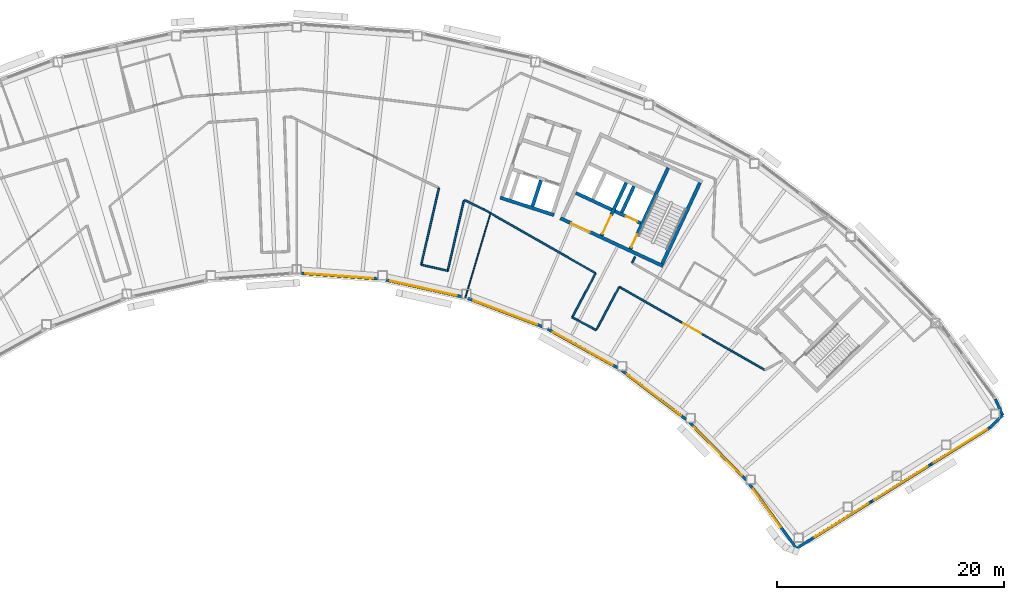
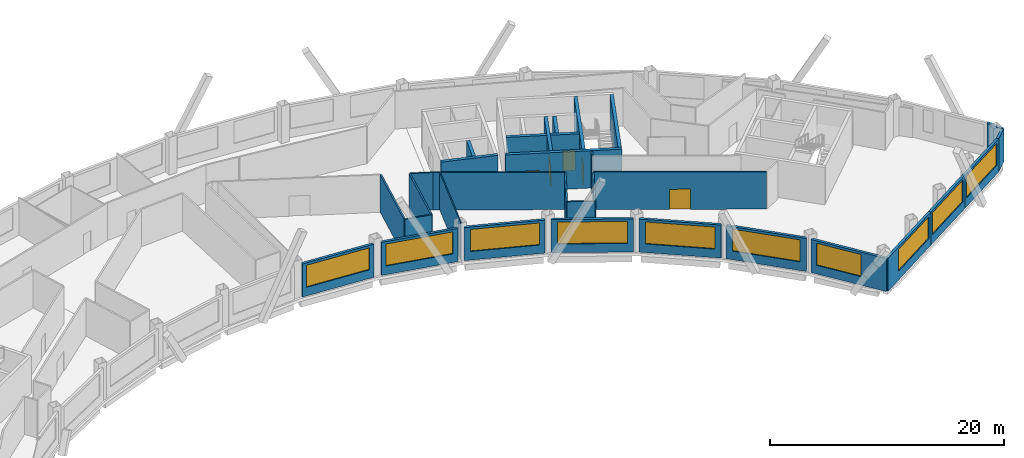
# One storey, part 7 of 12: 32 walls, 10 windows, 5 doors, 15 openings.
"""IFC4 building model written with IfcOpenShell, lengths in metres."""

from ifc_helpers import new_model, si_unit, direction, frame, frame_2d, origin, place, context, subcontext, project, spatial, rectangle, extrude, material, layer, layer_set, type_object, element, fill, save


model = new_model("IFC4")

# Units and contexts
model_context = context("Model", 3, precision=1e-05, world=origin(), true_north=direction((0.0, 1.0)))
body_context = subcontext(model_context, "Body", "Model", "MODEL_VIEW")
ifc_project = project(units=[si_unit("LENGTHUNIT", "METRE"), si_unit("AREAUNIT", "SQUARE_METRE"), si_unit("VOLUMEUNIT", "CUBIC_METRE"), si_unit("PLANEANGLEUNIT", "RADIAN"), si_unit("MASSUNIT", "GRAM", prefix="KILO")], contexts=[model_context])

# Site, building, storey
site_placement = place(None, origin())
site = spatial("IfcSite", under=ifc_project, at=site_placement, CompositionType="ELEMENT")
building_placement = place(site_placement, origin())
building = spatial("IfcBuilding", under=site, at=building_placement, Name="Tuul Gate Civic Tower", CompositionType="ELEMENT")
storey_placement = place(building_placement, frame((0.0, 0.0, 328.10009765625)))
storey = spatial("IfcBuildingStorey", under=building, at=storey_placement, Name="Level 74", CompositionType="ELEMENT", Elevation=328.10009765625)

# Wall, opening, door
ifc_material_1 = material(Name="Concrete C50/60", Category="concrete")
ifc_layer_1 = layer(ifc_material_1, 0.300048828125)
ifc_layer_set_1 = layer_set([ifc_layer_1], Name="Concrete C50/60")
wall_type_1 = type_object("IfcWallType", Name="Core wall C50/60", PredefinedType="SHEAR", material=ifc_layer_set_1)
wall_1_placement = place(storey_placement, frame((34.5283203125, -7.25, 0.0), z_axis=(0.0, 0.0, 1.0), x_axis=(-0.906310338845, 0.422612789327, 0.0)))
wall_1 = element("IfcWall", 1, at=wall_1_placement, inside=storey, type_object=wall_type_1, Name="Core wall", PredefinedType="SHEAR", context=body_context, shape_type="SweptSolid", body=[
    extrude(rectangle(XDim=9.999755859375, YDim=0.300048828125, at=frame_2d((5.0, 0.0))), origin(), (0.0, 0.0, 1.0), 3.89990234375),
])
opening_1_placement = place(wall_1_placement, frame((7.125, 0.0, 0.0)))
opening_1 = element("IfcOpeningElement", 2, at=opening_1_placement, cuts=wall_1, Name="Opening LB-E3-LOBBY-1", PredefinedType="OPENING", context=body_context, shape_type="SweptSolid", body=[
    extrude(rectangle(XDim=1.800048828125, YDim=2.10009765625, at=frame_2d((0.89990234375, 1.050048828125))), frame((0.0, 0.16015625, 0.0), z_axis=(0.0, -1.0, 0.0), x_axis=(1.0, 0.0, 0.0)), (0.0, 0.0, 1.0), 0.320068359375),
])
ifc_material_2 = material(Name="Steel", Category="steel")
door_type_1 = type_object("IfcDoorType", Name="Lobby door", OperationType="DOUBLE_DOOR_SINGLE_SWING", PredefinedType="DOOR", material=ifc_material_2)
door_1_placement = place(opening_1_placement, frame((1.800048828125, 0.0, 0.0), z_axis=(0.0, 0.0, 1.0), x_axis=(-1.0, 0.0, 0.0)))
door_1 = element("IfcDoor", 3, at=door_1_placement, inside=storey, type_object=door_type_1, Name="Lobby door E3-LOBBY", OperationType="DOUBLE_DOOR_SINGLE_SWING", OverallHeight=2.10009765625, OverallWidth=1.800048828125, PredefinedType="DOOR", context=body_context, shape_type="SweptSolid", body=[
    extrude(rectangle(XDim=1.800048828125, YDim=2.10009765625, at=frame_2d((0.900146484375, 1.050048828125))), frame((0.0, 0.02490234375, 0.0), z_axis=(0.0, -1.0, 0.0), x_axis=(1.0, 0.0, 0.0)), (0.0, 0.0, 1.0), 0.050048828125),
])
fill(opening_1, door_1)

wall_2_placement = place(storey_placement, frame((32.545654296875, -3.456787109375, 0.0), z_axis=(0.0, 0.0, 1.0), x_axis=(-0.906300357825, 0.42263419337, 0.0)))
wall_2 = element("IfcWall", 4, at=wall_2_placement, inside=storey, type_object=wall_type_1, Name="Core wall", PredefinedType="SHEAR", context=body_context, shape_type="SweptSolid", body=[
    extrude(rectangle(XDim=2.500244140625, YDim=0.300048828125, at=frame_2d((1.25, 0.0))), origin(), (0.0, 0.0, 1.0), 3.89990234375),
])
opening_2_placement = place(wall_2_placement, frame((0.324951171875, 0.0, 0.0)))
opening_2 = element("IfcOpeningElement", 5, at=opening_2_placement, cuts=wall_2, Name="Opening LD-FF-2", PredefinedType="OPENING", context=body_context, shape_type="SweptSolid", body=[
    extrude(rectangle(XDim=1.10009765625, YDim=2.10009765625, at=frame_2d((0.550048828125, 1.050048828125))), frame((0.0, 0.16015625, 0.0), z_axis=(0.0, -1.0, 0.0), x_axis=(1.0, 0.0, 0.0)), (0.0, 0.0, 1.0), 0.320068359375),
])
ifc_material_3 = material(Name="Stainless steel", Category="steel")
door_type_2 = type_object("IfcDoorType", Name="Landing door", OperationType="DOUBLE_DOOR_SLIDING", PredefinedType="DOOR", material=ifc_material_3)
door_2_placement = place(opening_2_placement, origin())
door_2 = element("IfcDoor", 6, at=door_2_placement, inside=storey, type_object=door_type_2, Name="Fire-fighting lift FF-2 landing door", OperationType="DOUBLE_DOOR_SLIDING", OverallHeight=2.10009765625, OverallWidth=1.10009765625, PredefinedType="DOOR", context=body_context, shape_type="SweptSolid", body=[
    extrude(rectangle(XDim=1.10009765625, YDim=2.10009765625, at=frame_2d((0.550048828125, 1.050048828125))), frame((0.0, 0.02490234375, 0.0), z_axis=(0.0, -1.0, 0.0), x_axis=(1.0, 0.0, 0.0)), (0.0, 0.0, 1.0), 0.050048828125),
])
fill(opening_2, door_2)

# Walls
wall_3_placement = place(storey_placement, frame((30.0078125, -2.2734375, 0.0), z_axis=(0.0, 0.0, 1.0), x_axis=(-0.90630071767, 0.422633421716, 0.0)))
element("IfcWall", 7, at=wall_3_placement, inside=storey, type_object=wall_type_1, Name="Core wall", PredefinedType="SHEAR", context=body_context, shape_type="SweptSolid", body=[
    extrude(rectangle(XDim=3.5, YDim=0.300048828125, at=frame_2d((1.75, 0.0))), origin(), (0.0, 0.0, 1.0), 3.89990234375),
])
wall_4_placement = place(storey_placement, frame((34.455810546875, -7.05078125, 0.0), z_axis=(0.0, 0.0, 1.0), x_axis=(0.422570768258, 0.906329932096, 0.0)))
element("IfcWall", 8, at=wall_4_placement, inside=storey, type_object=wall_type_1, Name="Core wall", PredefinedType="SHEAR", context=body_context, shape_type="SweptSolid", body=[
    extrude(rectangle(XDim=7.900146484375, YDim=0.300048828125, at=frame_2d((3.9501953125, 0.0))), origin(), (0.0, 0.0, 1.0), 3.89990234375),
])

# Wall, opening, door
wall_5_placement = place(storey_placement, frame((31.646240234375, -5.740478515625, 0.0), z_axis=(0.0, 0.0, 1.0), x_axis=(0.422582604137, 0.906324413596, 0.0)))
wall_5 = element("IfcWall", 9, at=wall_5_placement, inside=storey, type_object=wall_type_1, Name="Core wall", PredefinedType="SHEAR", context=body_context, shape_type="SweptSolid", body=[
    extrude(rectangle(XDim=7.89990234375, YDim=0.300048828125, at=frame_2d((3.949951171875, 0.0))), origin(), (0.0, 0.0, 1.0), 3.89990234375),
])
opening_3_placement = place(wall_5_placement, frame((0.199951171875, 0.0, 0.0)))
opening_3 = element("IfcOpeningElement", 10, at=opening_3_placement, cuts=wall_5, Name="Opening SD-ST-4", PredefinedType="OPENING", context=body_context, shape_type="SweptSolid", body=[
    extrude(rectangle(XDim=1.199951171875, YDim=2.10009765625, at=frame_2d((0.60009765625, 1.050048828125))), frame((0.0, 0.16015625, 0.0), z_axis=(0.0, -1.0, 0.0), x_axis=(1.0, 0.0, 0.0)), (0.0, 0.0, 1.0), 0.320068359375),
])
ifc_material_4 = material(Name="Steel", Category="steel")
door_type_3 = type_object("IfcDoorType", Name="Stair door", OperationType="NOTDEFINED", PredefinedType="DOOR", material=ifc_material_4)
door_3_placement = place(opening_3_placement, origin())
door_3 = element("IfcDoor", 11, at=door_3_placement, inside=storey, type_object=door_type_3, Name="Stair door ST-4", OperationType="SINGLE_SWING_LEFT", OverallHeight=2.10009765625, OverallWidth=1.199951171875, PredefinedType="DOOR", context=body_context, shape_type="SweptSolid", body=[
    extrude(rectangle(XDim=1.199951171875, YDim=2.10009765625, at=frame_2d((0.60009765625, 1.050048828125))), frame((0.0, 0.02490234375, 0.0), z_axis=(0.0, -1.0, 0.0), x_axis=(1.0, 0.0, 0.0)), (0.0, 0.0, 1.0), 0.050048828125),
])
fill(opening_3, door_3)

# Wall
wall_6_placement = place(storey_placement, frame((30.886962890625, -2.517822265625, 0.0), z_axis=(0.0, 0.0, 1.0), x_axis=(0.422612891016, 0.906310291427, 0.0)))
element("IfcWall", 12, at=wall_6_placement, inside=storey, type_object=wall_type_1, Name="Core wall", PredefinedType="SHEAR", context=body_context, shape_type="SweptSolid", body=[
    extrude(rectangle(XDim=2.550048828125, YDim=0.300048828125, at=frame_2d((1.27490234375, 0.0))), origin(), (0.0, 0.0, 1.0), 3.89990234375),
])

# Wall, opening, door
wall_7_placement = place(storey_placement, frame((29.108642578125, -4.557373046875, 0.0), z_axis=(0.0, 0.0, 1.0), x_axis=(0.422566235356, 0.90633204552, 0.0)))
wall_7 = element("IfcWall", 13, at=wall_7_placement, inside=storey, type_object=wall_type_1, Name="Core wall", PredefinedType="SHEAR", context=body_context, shape_type="SweptSolid", body=[
    extrude(rectangle(XDim=5.150146484375, YDim=0.300048828125, at=frame_2d((2.5751953125, 0.0))), origin(), (0.0, 0.0, 1.0), 3.89990234375),
])
opening_4_placement = place(wall_7_placement, frame((0.175048828125, 0.0, 0.0)))
opening_4 = element("IfcOpeningElement", 14, at=opening_4_placement, cuts=wall_7, Name="Opening LB-E3-FLOBBY-1", PredefinedType="OPENING", context=body_context, shape_type="SweptSolid", body=[
    extrude(rectangle(XDim=1.800048828125, YDim=2.10009765625, at=frame_2d((0.89990234375, 1.050048828125))), frame((0.0, 0.16015625, 0.0), z_axis=(0.0, -1.0, 0.0), x_axis=(1.0, 0.0, 0.0)), (0.0, 0.0, 1.0), 0.320068359375),
])
door_4_placement = place(opening_4_placement, frame((1.800048828125, 0.0, 0.0), z_axis=(0.0, 0.0, 1.0), x_axis=(-1.0, 0.0, 0.0)))
door_4 = element("IfcDoor", 15, at=door_4_placement, inside=storey, type_object=door_type_1, Name="Lobby door E3-FLOBBY", OperationType="DOUBLE_DOOR_SINGLE_SWING", OverallHeight=2.10009765625, OverallWidth=1.800048828125, PredefinedType="DOOR", context=body_context, shape_type="SweptSolid", body=[
    extrude(rectangle(XDim=1.800048828125, YDim=2.10009765625, at=frame_2d((0.900146484375, 1.050048828125))), frame((0.0, 0.02490234375, 0.0), z_axis=(0.0, -1.0, 0.0), x_axis=(1.0, 0.0, 0.0)), (0.0, 0.0, 1.0), 0.050048828125),
])
fill(opening_4, door_4)

# Wall
ifc_material_5 = material(Name="Gypsum board partition")
ifc_layer_2 = layer(ifc_material_5, 0.14990234375)
ifc_layer_set_2 = layer_set([ifc_layer_2], Name="Gypsum board partition")
wall_type_2 = type_object("IfcWallType", Name="Corridor wall P150", PredefinedType="PARTITIONING", material=ifc_layer_set_2)
wall_8_placement = place(storey_placement, frame((18.767333984375, -2.275146484375, 0.0), z_axis=(0.0, 0.0, 1.0), x_axis=(0.868271101011, -0.496090007104, 0.0)))
element("IfcWall", 16, at=wall_8_placement, inside=storey, type_object=wall_type_2, Name="p036", PredefinedType="PARTITIONING", context=body_context, shape_type="SweptSolid", body=[
    extrude(rectangle(XDim=11.283935546875, YDim=0.14990234375, at=frame_2d((5.64208984375, 0.0))), origin(), (0.0, 0.0, 1.0), 3.89990234375),
])

# Wall, opening, door
wall_9_placement = place(storey_placement, frame((30.680908203125, -9.082275390625, 0.0), z_axis=(0.0, 0.0, 1.0), x_axis=(0.86827465365, -0.496083789121, 0.0)))
wall_9 = element("IfcWall", 17, at=wall_9_placement, inside=storey, type_object=wall_type_2, Name="p037", PredefinedType="PARTITIONING", context=body_context, shape_type="SweptSolid", body=[
    extrude(rectangle(XDim=14.779296875, YDim=0.14990234375, at=frame_2d((7.3896484375, 0.0))), origin(), (0.0, 0.0, 1.0), 3.89990234375),
])
opening_5_placement = place(wall_9_placement, frame((6.489501953125, 0.0, 0.0)))
opening_5 = element("IfcOpeningElement", 18, at=opening_5_placement, cuts=wall_9, Name="Opening AB-D06", PredefinedType="OPENING", context=body_context, shape_type="SweptSolid", body=[
    extrude(rectangle(XDim=1.800048828125, YDim=2.10009765625, at=frame_2d((0.89990234375, 1.050048828125))), frame((0.0, 0.0849609375, 0.0), z_axis=(0.0, -1.0, 0.0), x_axis=(1.0, 0.0, 0.0)), (0.0, 0.0, 1.0), 0.169921875),
])
ifc_material_6 = material(Name="Timber door leaf, double", Category="wood")
door_type_4 = type_object("IfcDoorType", Name="Door D18", OperationType="DOUBLE_DOOR_SINGLE_SWING", PredefinedType="DOOR", material=ifc_material_6)
door_5_placement = place(opening_5_placement, frame((1.800048828125, 0.0, 0.0), z_axis=(0.0, 0.0, 1.0), x_axis=(-1.0, 0.0, 0.0)))
door_5 = element("IfcDoor", 19, at=door_5_placement, inside=storey, type_object=door_type_4, Name="Door AB-D06", OperationType="DOUBLE_DOOR_SINGLE_SWING", OverallHeight=2.10009765625, OverallWidth=1.800048828125, PredefinedType="DOOR", context=body_context, shape_type="SweptSolid", body=[
    extrude(rectangle(XDim=1.800048828125, YDim=2.10009765625, at=frame_2d((0.900146484375, 1.050048828125))), frame((0.0, 0.02490234375, 0.0), z_axis=(0.0, -1.0, 0.0), x_axis=(1.0, 0.0, 0.0)), (0.0, 0.0, 1.0), 0.050048828125),
])
fill(opening_5, door_5)

# Walls
wall_10_placement = place(storey_placement, frame((26.513916015625, -11.77197265625, 0.0), z_axis=(0.0, 0.0, 1.0), x_axis=(0.469431997452, 0.882968628983, 0.0)))
element("IfcWall", 20, at=wall_10_placement, inside=storey, type_object=wall_type_2, Name="p038", PredefinedType="PARTITIONING", context=body_context, shape_type="SweptSolid", body=[
    extrude(rectangle(XDim=4.38525390625, YDim=0.14990234375, at=frame_2d((2.192626953125, 0.0))), origin(), (0.0, 0.0, 1.0), 3.89990234375),
])
wall_11_placement = place(storey_placement, frame((26.513916015625, -11.77197265625, 0.0), z_axis=(0.0, 0.0, 1.0), x_axis=(0.882935201215, -0.469494867336, 0.0)))
element("IfcWall", 21, at=wall_11_placement, inside=storey, type_object=wall_type_2, Name="p039", PredefinedType="PARTITIONING", context=body_context, shape_type="SweptSolid", body=[
    extrude(rectangle(XDim=2.39990234375, YDim=0.14990234375, at=frame_2d((1.199951171875, 0.0))), origin(), (0.0, 0.0, 1.0), 3.89990234375),
])
wall_12_placement = place(storey_placement, frame((28.6328125, -12.898681640625, 0.0), z_axis=(0.0, 0.0, 1.0), x_axis=(0.469497456334, 0.882933824528, 0.0)))
element("IfcWall", 22, at=wall_12_placement, inside=storey, type_object=wall_type_2, Name="p040", PredefinedType="PARTITIONING", context=body_context, shape_type="SweptSolid", body=[
    extrude(rectangle(XDim=4.311279296875, YDim=0.14990234375, at=frame_2d((2.15576171875, 0.0))), origin(), (0.0, 0.0, 1.0), 3.89990234375),
])
wall_13_placement = place(storey_placement, frame((31.793701171875, -6.953857421875, 0.0), z_axis=(0.0, 0.0, 1.0), x_axis=(0.469661180167, 0.882846745389, 0.0)))
element("IfcWall", 23, at=wall_13_placement, inside=storey, type_object=wall_type_2, Name="p041", PredefinedType="PARTITIONING", context=body_context, shape_type="SweptSolid", body=[
    extrude(rectangle(XDim=0.587890625, YDim=0.14990234375, at=frame_2d((0.2939453125, 0.0))), origin(), (0.0, 0.0, 1.0), 3.89990234375),
])
wall_14_placement = place(storey_placement, frame((16.989013671875, -1.42041015625, 0.0), z_axis=(0.0, 0.0, 1.0), x_axis=(0.901277528971, -0.433242213747, 0.0)))
element("IfcWall", 24, at=wall_14_placement, inside=storey, type_object=wall_type_2, Name="p045", PredefinedType="PARTITIONING", context=body_context, shape_type="SweptSolid", body=[
    extrude(rectangle(XDim=1.9716796875, YDim=0.14990234375, at=frame_2d((0.98583984375, 0.0))), origin(), (0.0, 0.0, 1.0), 3.89990234375),
])
wall_15_placement = place(storey_placement, frame((13.183349609375, -7.127685546875, 0.0), z_axis=(0.0, 0.0, 1.0), x_axis=(0.224946783253, 0.974371050834, 0.0)))
element("IfcWall", 25, at=wall_15_placement, inside=storey, type_object=wall_type_2, Name="p046", PredefinedType="PARTITIONING", context=body_context, shape_type="SweptSolid", body=[
    extrude(rectangle(XDim=6.946044921875, YDim=0.14990234375, at=frame_2d((3.47314453125, 0.0))), origin(), (0.0, 0.0, 1.0), 3.89990234375),
])
wall_16_placement = place(storey_placement, frame((13.18359375, -7.12841796875, 0.0), z_axis=(0.0, 0.0, 1.0), x_axis=(0.974382619436, -0.224896667254, 0.0)))
element("IfcWall", 26, at=wall_16_placement, inside=storey, type_object=wall_type_2, Name="p047", PredefinedType="PARTITIONING", context=body_context, shape_type="SweptSolid", body=[
    extrude(rectangle(XDim=2.399169921875, YDim=0.14990234375, at=frame_2d((1.19970703125, 0.0))), origin(), (0.0, 0.0, 1.0), 3.89990234375),
])
wall_17_placement = place(storey_placement, frame((15.521728515625, -7.66748046875, 0.0), z_axis=(0.0, 0.0, 1.0), x_axis=(0.224968204235, 0.974366105262, 0.0)))
element("IfcWall", 27, at=wall_17_placement, inside=storey, type_object=wall_type_2, Name="p048", PredefinedType="PARTITIONING", context=body_context, shape_type="SweptSolid", body=[
    extrude(rectangle(XDim=6.3974609375, YDim=0.14990234375, at=frame_2d((3.19873046875, 0.0))), origin(), (0.0, 0.0, 1.0), 3.89990234375),
])
ifc_material_7 = material(Name="Precast concrete C40/50", Category="concrete")
ifc_layer_3 = layer(ifc_material_7, 0.25)
ifc_layer_set_3 = layer_set([ifc_layer_3], Name="Precast concrete C40/50")
wall_type_3 = type_object("IfcWallType", Name="External wall", PredefinedType="STANDARD", material=ifc_layer_set_3)
wall_18_placement = place(storey_placement, frame((63.382568359375, -21.513671875, 0.0), z_axis=(0.0, 0.0, 1.0), x_axis=(0.722162740816, 0.691723193031, 0.0)))
element("IfcWall", 28, at=wall_18_placement, inside=storey, type_object=wall_type_3, Name="External wall", PredefinedType="STANDARD", context=body_context, shape_type="SweptSolid", body=[
    extrude(rectangle(XDim=1.572021484375, YDim=0.25, at=frame_2d((0.7861328125, 0.0))), origin(), (0.0, 0.0, 1.0), 3.449951171875),
])
wall_19_placement = place(storey_placement, frame((64.517822265625, -20.42626953125, 0.0), z_axis=(0.0, 0.0, 1.0), x_axis=(-0.413463423134, 0.910520728886, 0.0)))
element("IfcWall", 29, at=wall_19_placement, inside=storey, type_object=wall_type_3, Name="External wall", PredefinedType="STANDARD", context=body_context, shape_type="SweptSolid", body=[
    extrude(rectangle(XDim=1.5712890625, YDim=0.25, at=frame_2d((0.78564453125, 0.0))), origin(), (0.0, 0.0, 1.0), 3.449951171875),
])

# Wall, opening, window
wall_20_placement = place(storey_placement, frame((2.592041015625, -7.882568359375, 0.0), z_axis=(0.0, 0.0, 1.0), x_axis=(0.997384795983, -0.072274260578, 0.0)))
wall_20 = element("IfcWall", 30, at=wall_20_placement, inside=storey, type_object=wall_type_3, Name="External wall", PredefinedType="STANDARD", context=body_context, shape_type="SweptSolid", body=[
    extrude(rectangle(XDim=6.789794921875, YDim=0.25, at=frame_2d((3.39501953125, 0.0))), origin(), (0.0, 0.0, 1.0), 3.449951171875),
])
opening_6_placement = place(wall_20_placement, frame((0.371337890625, 0.0, 0.89990234375)))
opening_6 = element("IfcOpeningElement", 31, at=opening_6_placement, cuts=wall_20, Name="Opening W26", PredefinedType="OPENING", context=body_context, shape_type="SweptSolid", body=[
    extrude(rectangle(XDim=6.0, YDim=2.300048828125, at=frame_2d((3.0, 1.14990234375))), frame((0.0, 0.135009765625, 0.0), z_axis=(0.0, -1.0, 0.0), x_axis=(1.0, 0.0, 0.0)), (0.0, 0.0, 1.0), 0.27001953125),
])
ifc_material_8 = material(Name="Glass", Category="glass")
window_type_1 = type_object("IfcWindowType", Name="Window W26 6000 x 2300", PartitioningType="SINGLE_PANEL", PredefinedType="WINDOW", material=ifc_material_8)
window_1_placement = place(opening_6_placement, origin())
window_1 = element("IfcWindow", 32, at=window_1_placement, inside=storey, type_object=window_type_1, Name="Window", OverallHeight=2.300048828125, OverallWidth=6.0, PartitioningType="SINGLE_PANEL", PredefinedType="WINDOW", context=body_context, shape_type="SweptSolid", body=[
    extrude(rectangle(XDim=6.0, YDim=2.300048828125, at=frame_2d((3.0, 1.14990234375))), frame((0.0, 0.030029296875, 0.0), z_axis=(0.0, -1.0, 0.0), x_axis=(1.0, 0.0, 0.0)), (0.0, 0.0, 1.0), 0.06005859375),
])
fill(opening_6, window_1)

wall_21_placement = place(storey_placement, frame((10.071044921875, -8.47705078125, 0.0), z_axis=(0.0, 0.0, 1.0), x_axis=(0.976561146318, -0.215240162382, 0.0)))
wall_21 = element("IfcWall", 33, at=wall_21_placement, inside=storey, type_object=wall_type_3, Name="External wall", PredefinedType="STANDARD", context=body_context, shape_type="SweptSolid", body=[
    extrude(rectangle(XDim=6.867919921875, YDim=0.25, at=frame_2d((3.43408203125, 0.0))), origin(), (0.0, 0.0, 1.0), 3.449951171875),
])
opening_7_placement = place(wall_21_placement, frame((0.409912109375, 0.0, 0.89990234375)))
opening_7 = element("IfcOpeningElement", 34, at=opening_7_placement, cuts=wall_21, Name="Opening W26", PredefinedType="OPENING", context=body_context, shape_type="SweptSolid", body=[
    extrude(rectangle(XDim=6.0, YDim=2.300048828125, at=frame_2d((3.0, 1.14990234375))), frame((0.0, 0.135009765625, 0.0), z_axis=(0.0, -1.0, 0.0), x_axis=(1.0, 0.0, 0.0)), (0.0, 0.0, 1.0), 0.27001953125),
])
window_2_placement = place(opening_7_placement, origin())
window_2 = element("IfcWindow", 35, at=window_2_placement, inside=storey, type_object=window_type_1, Name="Window", OverallHeight=2.300048828125, OverallWidth=6.0, PartitioningType="SINGLE_PANEL", PredefinedType="WINDOW", context=body_context, shape_type="SweptSolid", body=[
    extrude(rectangle(XDim=6.0, YDim=2.300048828125, at=frame_2d((3.0, 1.14990234375))), frame((0.0, 0.030029296875, 0.0), z_axis=(0.0, -1.0, 0.0), x_axis=(1.0, 0.0, 0.0)), (0.0, 0.0, 1.0), 0.06005859375),
])
fill(opening_7, window_2)

wall_22_placement = place(storey_placement, frame((17.315185546875, -10.110107421875, 0.0), z_axis=(0.0, 0.0, 1.0), x_axis=(0.93536342071, -0.353688098751, 0.0)))
wall_22 = element("IfcWall", 36, at=wall_22_placement, inside=storey, type_object=wall_type_3, Name="External wall", PredefinedType="STANDARD", context=body_context, shape_type="SweptSolid", body=[
    extrude(rectangle(XDim=7.017333984375, YDim=0.25, at=frame_2d((3.5087890625, 0.0))), origin(), (0.0, 0.0, 1.0), 3.449951171875),
])
opening_8_placement = place(wall_22_placement, frame((0.52587890625, 0.0, 0.89990234375)))
opening_8 = element("IfcOpeningElement", 37, at=opening_8_placement, cuts=wall_22, Name="Opening W26", PredefinedType="OPENING", context=body_context, shape_type="SweptSolid", body=[
    extrude(rectangle(XDim=6.0, YDim=2.300048828125, at=frame_2d((3.0, 1.14990234375))), frame((0.0, 0.135009765625, 0.0), z_axis=(0.0, -1.0, 0.0), x_axis=(1.0, 0.0, 0.0)), (0.0, 0.0, 1.0), 0.27001953125),
])
window_3_placement = place(opening_8_placement, origin())
window_3 = element("IfcWindow", 38, at=window_3_placement, inside=storey, type_object=window_type_1, Name="Window", OverallHeight=2.300048828125, OverallWidth=6.0, PartitioningType="SINGLE_PANEL", PredefinedType="WINDOW", context=body_context, shape_type="SweptSolid", body=[
    extrude(rectangle(XDim=6.0, YDim=2.300048828125, at=frame_2d((3.0, 1.14990234375))), frame((0.0, 0.030029296875, 0.0), z_axis=(0.0, -1.0, 0.0), x_axis=(1.0, 0.0, 0.0)), (0.0, 0.0, 1.0), 0.06005859375),
])
fill(opening_8, window_3)

wall_23_placement = place(storey_placement, frame((24.33056640625, -12.7958984375, 0.0), z_axis=(0.0, 0.0, 1.0), x_axis=(0.874614232828, -0.484819496034, 0.0)))
wall_23 = element("IfcWall", 39, at=wall_23_placement, inside=storey, type_object=wall_type_3, Name="External wall", PredefinedType="STANDARD", context=body_context, shape_type="SweptSolid", body=[
    extrude(rectangle(XDim=7.07568359375, YDim=0.25, at=frame_2d((3.537841796875, 0.0))), origin(), (0.0, 0.0, 1.0), 3.449951171875),
])
opening_9_placement = place(wall_23_placement, frame((0.556396484375, 0.0, 0.89990234375)))
opening_9 = element("IfcOpeningElement", 40, at=opening_9_placement, cuts=wall_23, Name="Opening W26", PredefinedType="OPENING", context=body_context, shape_type="SweptSolid", body=[
    extrude(rectangle(XDim=6.0, YDim=2.300048828125, at=frame_2d((3.0, 1.14990234375))), frame((0.0, 0.135009765625, 0.0), z_axis=(0.0, -1.0, 0.0), x_axis=(1.0, 0.0, 0.0)), (0.0, 0.0, 1.0), 0.27001953125),
])
window_4_placement = place(opening_9_placement, origin())
window_4 = element("IfcWindow", 41, at=window_4_placement, inside=storey, type_object=window_type_1, Name="Window", OverallHeight=2.300048828125, OverallWidth=6.0, PartitioningType="SINGLE_PANEL", PredefinedType="WINDOW", context=body_context, shape_type="SweptSolid", body=[
    extrude(rectangle(XDim=6.0, YDim=2.300048828125, at=frame_2d((3.0, 1.14990234375))), frame((0.0, 0.030029296875, 0.0), z_axis=(0.0, -1.0, 0.0), x_axis=(1.0, 0.0, 0.0)), (0.0, 0.0, 1.0), 0.06005859375),
])
fill(opening_9, window_4)

wall_24_placement = place(storey_placement, frame((30.9072265625, -16.47607421875, 0.0), z_axis=(0.0, 0.0, 1.0), x_axis=(0.795582375141, -0.605845429433, 0.0)))
wall_24 = element("IfcWall", 42, at=wall_24_placement, inside=storey, type_object=wall_type_3, Name="External wall", PredefinedType="STANDARD", context=body_context, shape_type="SweptSolid", body=[
    extrude(rectangle(XDim=7.10400390625, YDim=0.25, at=frame_2d((3.552001953125, 0.0))), origin(), (0.0, 0.0, 1.0), 3.449951171875),
])
opening_10_placement = place(wall_24_placement, frame((0.562744140625, 0.0, 0.89990234375)))
opening_10 = element("IfcOpeningElement", 43, at=opening_10_placement, cuts=wall_24, Name="Opening W26", PredefinedType="OPENING", context=body_context, shape_type="SweptSolid", body=[
    extrude(rectangle(XDim=6.0, YDim=2.300048828125, at=frame_2d((3.0, 1.14990234375))), frame((0.0, 0.135009765625, 0.0), z_axis=(0.0, -1.0, 0.0), x_axis=(1.0, 0.0, 0.0)), (0.0, 0.0, 1.0), 0.27001953125),
])
window_5_placement = place(opening_10_placement, origin())
window_5 = element("IfcWindow", 44, at=window_5_placement, inside=storey, type_object=window_type_1, Name="Window", OverallHeight=2.300048828125, OverallWidth=6.0, PartitioningType="SINGLE_PANEL", PredefinedType="WINDOW", context=body_context, shape_type="SweptSolid", body=[
    extrude(rectangle(XDim=6.0, YDim=2.300048828125, at=frame_2d((3.0, 1.14990234375))), frame((0.0, 0.030029296875, 0.0), z_axis=(0.0, -1.0, 0.0), x_axis=(1.0, 0.0, 0.0)), (0.0, 0.0, 1.0), 0.06005859375),
])
fill(opening_10, window_5)

wall_25_placement = place(storey_placement, frame((36.894775390625, -21.074951171875, 0.0), z_axis=(0.0, 0.0, 1.0), x_axis=(0.700102647984, -0.714042213238, 0.0)))
wall_25 = element("IfcWall", 45, at=wall_25_placement, inside=storey, type_object=wall_type_3, Name="External wall", PredefinedType="STANDARD", context=body_context, shape_type="SweptSolid", body=[
    extrude(rectangle(XDim=7.11083984375, YDim=0.25, at=frame_2d((3.555419921875, 0.0))), origin(), (0.0, 0.0, 1.0), 3.449951171875),
])
opening_11_placement = place(wall_25_placement, frame((0.55517578125, 0.0, 0.89990234375)))
opening_11 = element("IfcOpeningElement", 46, at=opening_11_placement, cuts=wall_25, Name="Opening W26", PredefinedType="OPENING", context=body_context, shape_type="SweptSolid", body=[
    extrude(rectangle(XDim=6.0, YDim=2.300048828125, at=frame_2d((3.0, 1.14990234375))), frame((0.0, 0.135009765625, 0.0), z_axis=(0.0, -1.0, 0.0), x_axis=(1.0, 0.0, 0.0)), (0.0, 0.0, 1.0), 0.27001953125),
])
window_6_placement = place(opening_11_placement, origin())
window_6 = element("IfcWindow", 47, at=window_6_placement, inside=storey, type_object=window_type_1, Name="Window", OverallHeight=2.300048828125, OverallWidth=6.0, PartitioningType="SINGLE_PANEL", PredefinedType="WINDOW", context=body_context, shape_type="SweptSolid", body=[
    extrude(rectangle(XDim=6.0, YDim=2.300048828125, at=frame_2d((3.0, 1.14990234375))), frame((0.0, 0.030029296875, 0.0), z_axis=(0.0, -1.0, 0.0), x_axis=(1.0, 0.0, 0.0)), (0.0, 0.0, 1.0), 0.06005859375),
])
fill(opening_11, window_6)

wall_26_placement = place(storey_placement, frame((42.163330078125, -26.4970703125, 0.0), z_axis=(0.0, 0.0, 1.0), x_axis=(0.589749390831, -0.8075863149, 0.0)))
wall_26 = element("IfcWall", 48, at=wall_26_placement, inside=storey, type_object=wall_type_3, Name="External wall", PredefinedType="STANDARD", context=body_context, shape_type="SweptSolid", body=[
    extrude(rectangle(XDim=7.033935546875, YDim=0.25, at=frame_2d((3.51708984375, 0.0))), origin(), (0.0, 0.0, 1.0), 3.449951171875),
])
opening_12_placement = place(wall_26_placement, frame((0.5263671875, 0.0, 0.89990234375)))
opening_12 = element("IfcOpeningElement", 49, at=opening_12_placement, cuts=wall_26, Name="Opening W25", PredefinedType="OPENING", context=body_context, shape_type="SweptSolid", body=[
    extrude(rectangle(XDim=4.14990234375, YDim=2.300048828125, at=frame_2d((2.074951171875, 1.14990234375))), frame((0.0, 0.135009765625, 0.0), z_axis=(0.0, -1.0, 0.0), x_axis=(1.0, 0.0, 0.0)), (0.0, 0.0, 1.0), 0.27001953125),
])
ifc_material_9 = material(Name="Glass", Category="glass")
window_type_2 = type_object("IfcWindowType", Name="Window W25 4150 x 2300", PartitioningType="SINGLE_PANEL", PredefinedType="WINDOW", material=ifc_material_9)
window_7_placement = place(opening_12_placement, origin())
window_7 = element("IfcWindow", 50, at=window_7_placement, inside=storey, type_object=window_type_2, Name="Window", OverallHeight=2.300048828125, OverallWidth=4.14990234375, PartitioningType="SINGLE_PANEL", PredefinedType="WINDOW", context=body_context, shape_type="SweptSolid", body=[
    extrude(rectangle(XDim=4.14990234375, YDim=2.300048828125, at=frame_2d((2.074951171875, 1.14990234375))), frame((0.0, 0.030029296875, 0.0), z_axis=(0.0, -1.0, 0.0), x_axis=(1.0, 0.0, 0.0)), (0.0, 0.0, 1.0), 0.06005859375),
])
fill(opening_12, window_7)

wall_27_placement = place(storey_placement, frame((46.3115234375, -32.177490234375, 0.0), z_axis=(0.0, 0.0, 1.0), x_axis=(0.848061701049, 0.529897491233, 0.0)))
wall_27 = element("IfcWall", 51, at=wall_27_placement, inside=storey, type_object=wall_type_3, Name="External wall", PredefinedType="STANDARD", context=body_context, shape_type="SweptSolid", body=[
    extrude(rectangle(XDim=7.787841796875, YDim=0.25, at=frame_2d((3.89404296875, 0.0))), origin(), (0.0, 0.0, 1.0), 3.449951171875),
])
opening_13_placement = place(wall_27_placement, frame((1.92138671875, 0.0, 0.89990234375)))
opening_13 = element("IfcOpeningElement", 52, at=opening_13_placement, cuts=wall_27, Name="Opening W24", PredefinedType="OPENING", context=body_context, shape_type="SweptSolid", body=[
    extrude(rectangle(XDim=5.550048828125, YDim=2.300048828125, at=frame_2d((2.77490234375, 1.14990234375))), frame((0.0, 0.135009765625, 0.0), z_axis=(0.0, -1.0, 0.0), x_axis=(1.0, 0.0, 0.0)), (0.0, 0.0, 1.0), 0.27001953125),
])
ifc_material_10 = material(Name="Glass", Category="glass")
window_type_3 = type_object("IfcWindowType", Name="Window W24 5550 x 2300", PartitioningType="SINGLE_PANEL", PredefinedType="WINDOW", material=ifc_material_10)
window_8_placement = place(opening_13_placement, origin())
window_8 = element("IfcWindow", 53, at=window_8_placement, inside=storey, type_object=window_type_3, Name="Window", OverallHeight=2.300048828125, OverallWidth=5.550048828125, PartitioningType="SINGLE_PANEL", PredefinedType="WINDOW", context=body_context, shape_type="SweptSolid", body=[
    extrude(rectangle(XDim=5.550048828125, YDim=2.300048828125, at=frame_2d((2.77490234375, 1.14990234375))), frame((0.0, 0.030029296875, 0.0), z_axis=(0.0, -1.0, 0.0), x_axis=(1.0, 0.0, 0.0)), (0.0, 0.0, 1.0), 0.06005859375),
])
fill(opening_13, window_8)

wall_28_placement = place(storey_placement, frame((52.916015625, -28.05078125, 0.0), z_axis=(0.0, 0.0, 1.0), x_axis=(0.848053758074, 0.529910203164, 0.0)))
wall_28 = element("IfcWall", 54, at=wall_28_placement, inside=storey, type_object=wall_type_3, Name="External wall", PredefinedType="STANDARD", context=body_context, shape_type="SweptSolid", body=[
    extrude(rectangle(XDim=6.182861328125, YDim=0.25, at=frame_2d((3.09130859375, 0.0))), origin(), (0.0, 0.0, 1.0), 3.449951171875),
])
opening_14_placement = place(wall_28_placement, frame((0.31640625, 0.0, 0.89990234375)))
opening_14 = element("IfcOpeningElement", 55, at=opening_14_placement, cuts=wall_28, Name="Opening W24", PredefinedType="OPENING", context=body_context, shape_type="SweptSolid", body=[
    extrude(rectangle(XDim=5.550048828125, YDim=2.300048828125, at=frame_2d((2.77490234375, 1.14990234375))), frame((0.0, 0.135009765625, 0.0), z_axis=(0.0, -1.0, 0.0), x_axis=(1.0, 0.0, 0.0)), (0.0, 0.0, 1.0), 0.27001953125),
])
window_9_placement = place(opening_14_placement, origin())
window_9 = element("IfcWindow", 56, at=window_9_placement, inside=storey, type_object=window_type_3, Name="Window", OverallHeight=2.300048828125, OverallWidth=5.550048828125, PartitioningType="SINGLE_PANEL", PredefinedType="WINDOW", context=body_context, shape_type="SweptSolid", body=[
    extrude(rectangle(XDim=5.550048828125, YDim=2.300048828125, at=frame_2d((2.77490234375, 1.14990234375))), frame((0.0, 0.030029296875, 0.0), z_axis=(0.0, -1.0, 0.0), x_axis=(1.0, 0.0, 0.0)), (0.0, 0.0, 1.0), 0.06005859375),
])
fill(opening_14, window_9)

wall_29_placement = place(storey_placement, frame((58.159423828125, -24.7744140625, 0.0), z_axis=(0.0, 0.0, 1.0), x_axis=(0.848053758074, 0.529910203164, 0.0)))
wall_29 = element("IfcWall", 57, at=wall_29_placement, inside=storey, type_object=wall_type_3, Name="External wall", PredefinedType="STANDARD", context=body_context, shape_type="SweptSolid", body=[
    extrude(rectangle(XDim=6.182861328125, YDim=0.25, at=frame_2d((3.09130859375, 0.0))), origin(), (0.0, 0.0, 1.0), 3.449951171875),
])
opening_15_placement = place(wall_29_placement, frame((0.31640625, 0.0, 0.89990234375)))
opening_15 = element("IfcOpeningElement", 58, at=opening_15_placement, cuts=wall_29, Name="Opening W24", PredefinedType="OPENING", context=body_context, shape_type="SweptSolid", body=[
    extrude(rectangle(XDim=5.550048828125, YDim=2.300048828125, at=frame_2d((2.77490234375, 1.14990234375))), frame((0.0, 0.135009765625, 0.0), z_axis=(0.0, -1.0, 0.0), x_axis=(1.0, 0.0, 0.0)), (0.0, 0.0, 1.0), 0.27001953125),
])
window_10_placement = place(opening_15_placement, origin())
window_10 = element("IfcWindow", 59, at=window_10_placement, inside=storey, type_object=window_type_3, Name="Window", OverallHeight=2.300048828125, OverallWidth=5.550048828125, PartitioningType="SINGLE_PANEL", PredefinedType="WINDOW", context=body_context, shape_type="SweptSolid", body=[
    extrude(rectangle(XDim=5.550048828125, YDim=2.300048828125, at=frame_2d((2.77490234375, 1.14990234375))), frame((0.0, 0.030029296875, 0.0), z_axis=(0.0, -1.0, 0.0), x_axis=(1.0, 0.0, 0.0)), (0.0, 0.0, 1.0), 0.06005859375),
])
fill(opening_15, window_10)

# Walls
ifc_material_11 = material(Name="Concrete C40/50", Category="concrete")
ifc_layer_4 = layer(ifc_material_11, 0.300048828125)
ifc_layer_set_4 = layer_set([ifc_layer_4], Name="Concrete C40/50")
wall_type_4 = type_object("IfcWallType", Name="Lift shaft wall C40/50", PredefinedType="STANDARD", material=ifc_layer_set_4)
wall_30_placement = place(storey_placement, frame((24.911376953125, -2.746337890625, 0.0), z_axis=(0.0, 0.0, 1.0), x_axis=(-0.951067792613, 0.308982287281, 0.0)))
element("IfcWall", 60, at=wall_30_placement, inside=storey, type_object=wall_type_4, Name="Shaft wall", PredefinedType="STANDARD", context=body_context, shape_type="SweptSolid", body=[
    extrude(rectangle(XDim=5.0, YDim=0.300048828125, at=frame_2d((2.5, 0.0))), origin(), (0.0, 0.0, 1.0), 3.89990234375),
])
wall_31_placement = place(storey_placement, frame((23.008056640625, -1.97021484375, 0.0), z_axis=(0.0, 0.0, 1.0), x_axis=(0.309138975195, 0.951016873675, 0.0)))
element("IfcWall", 61, at=wall_31_placement, inside=storey, type_object=wall_type_4, Name="Shaft wall", PredefinedType="STANDARD", context=body_context, shape_type="SweptSolid", body=[
    extrude(rectangle(XDim=2.400146484375, YDim=0.300048828125, at=frame_2d((1.2001953125, 0.0))), origin(), (0.0, 0.0, 1.0), 3.89990234375),
])
ifc_material_12 = material(Name="Gypsum board partition")
ifc_layer_5 = layer(ifc_material_12, 0.10009765625)
ifc_layer_set_5 = layer_set([ifc_layer_5], Name="Gypsum board partition")
wall_type_5 = type_object("IfcWallType", Name="Partition P100", PredefinedType="PARTITIONING", material=ifc_layer_set_5)
wall_32_placement = place(storey_placement, frame((17.083251953125, -10.027587890625, 0.0), z_axis=(0.0, 0.0, 1.0), x_axis=(0.28523160592, 0.958458622469, 0.0)))
element("IfcWall", 62, at=wall_32_placement, inside=storey, type_object=wall_type_5, Name="p033", PredefinedType="PARTITIONING", context=body_context, shape_type="SweptSolid", body=[
    extrude(rectangle(XDim=7.77099609375, YDim=0.10009765625, at=frame_2d((3.885498046875, 0.0))), origin(), (0.0, 0.0, 1.0), 3.89990234375),
])

save(model, "model.ifc")
